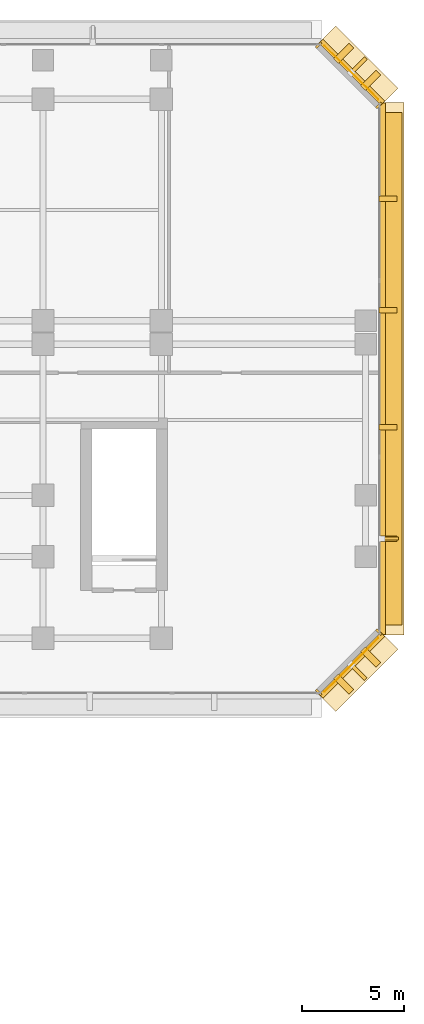
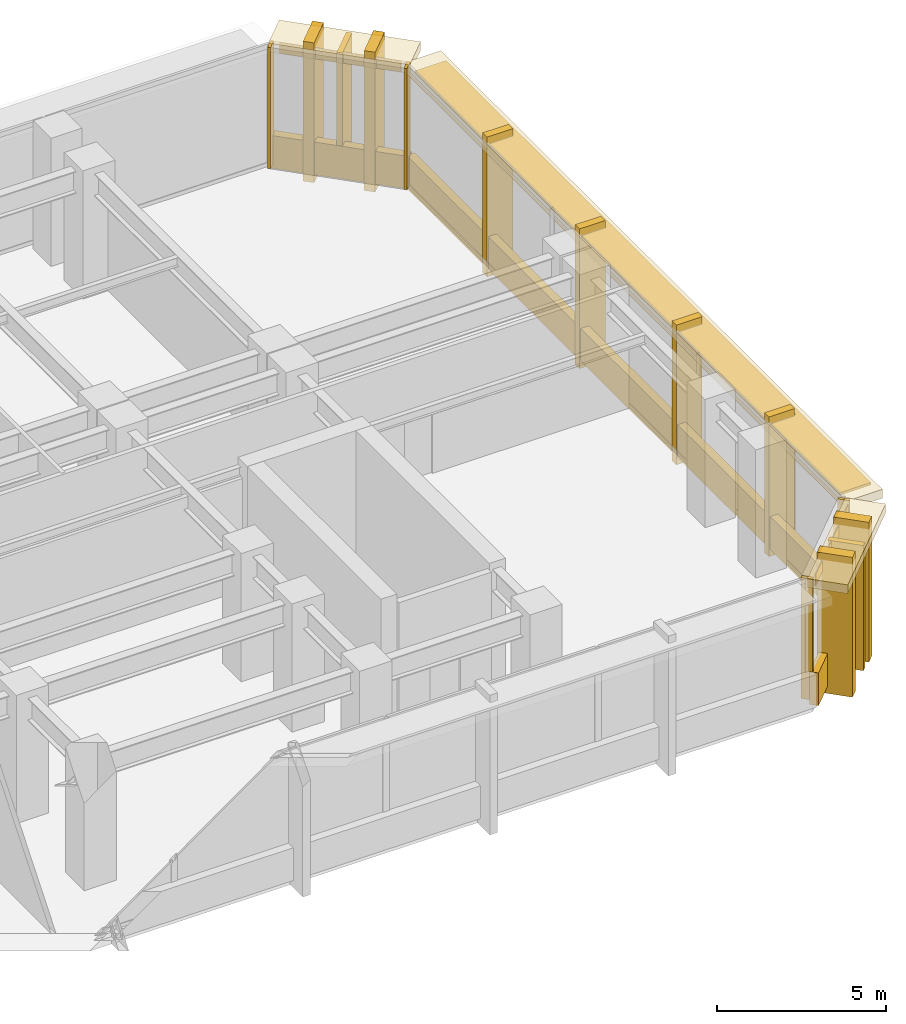
# One storey, part 14 of 14: 20 coverings, 4 shading devices.
"""IFC4 building model written with IfcOpenShell, lengths in metres."""

from ifc_helpers import new_model, si_unit, direction, frame, origin, origin_2d, place, context, subcontext, project, spatial, rectangle, extrude, material, layer, layer_set, material_profile, profile_set, type_object, element, save


model = new_model("IFC4")

# Units and contexts
model_context = context("Model", 3, precision=1e-05, world=origin(), true_north=direction((0.0, 1.0)))
body_context = subcontext(model_context, "Body", "Model", "MODEL_VIEW")
ifc_project = project(units=[si_unit("LENGTHUNIT", "METRE"), si_unit("AREAUNIT", "SQUARE_METRE"), si_unit("VOLUMEUNIT", "CUBIC_METRE"), si_unit("PLANEANGLEUNIT", "RADIAN"), si_unit("MASSUNIT", "GRAM", prefix="KILO")], contexts=[model_context])

# Site, building, storey
site_placement = place(None, origin())
site = spatial("IfcSite", under=ifc_project, at=site_placement, CompositionType="ELEMENT")
building_placement = place(site_placement, origin())
building = spatial("IfcBuilding", under=site, at=building_placement, Name="Kefirva Bronze Tower", CompositionType="ELEMENT")
storey_placement = place(building_placement, frame((0.0, 0.0, 25.739990234375)))
storey = spatial("IfcBuildingStorey", under=building, at=storey_placement, Name="L05", CompositionType="ELEMENT", Elevation=25.739990234375)

# Coverings
ifc_material = material(Name="Bronze anodised aluminium", Category="aluminium")
ifc_layer_1 = layer(ifc_material, 0.02001953125, Name="Bronze anodised aluminium")
ifc_layer_set_1 = layer_set([ifc_layer_1], Name="Bronze anodised aluminium")
covering_type_1 = type_object("IfcCoveringType", Name="Anodised Bronze Spandrel Cladding 20mm", PredefinedType="CLADDING", material=ifc_layer_set_1)
covering_1_placement = place(storey_placement, frame((64.507080078125, 17.492919921875, 3.949951171875), z_axis=(0.0, 0.0, 1.0), x_axis=(0.707106781187, 0.707106781187, 0.0)))
element("IfcCovering", 1, at=covering_1_placement, inside=storey, type_object=covering_type_1, Name="L05 Bronze Spandrel Cladding 4", PredefinedType="CLADDING", context=body_context, shape_type="SweptSolid", body=[
    extrude(rectangle(XDim=3.719482421875, YDim=0.02001953125, at=origin_2d()), origin(), (0.0, 0.0, 1.0), 0.39990234375),
])
for number, where, z_axis, x_axis, name in (
    (2, (62.8974609375, 16.152099609375, 0.0), (0.0, 0.0, 1.0), (0.707106781187, 0.707106781187, 0.0), "L05 Facade Joint Closure Panel 4S"),
    (3, (65.847900390625, 19.1025390625, 0.0), (0.0, 0.0, 1.0), (0.707106781187, 0.707106781187, 0.0), "L05 Facade Joint Closure Panel 4E"),
):
    element("IfcCovering", number, at=place(storey_placement, frame(where, z_axis=z_axis, x_axis=x_axis)), inside=storey, type_object=covering_type_1, Name=name, PredefinedType="CLADDING", context=body_context, shape_type="SweptSolid", body=[
        extrude(rectangle(XDim=0.10009765625, YDim=0.360107421875, at=origin_2d()), origin(), (0.0, 0.0, 1.0), 4.3701171875),
    ])
covering_2_placement = place(storey_placement, frame((64.5283203125, 17.4716796875, -0.16015625), z_axis=(0.0, 0.0, 1.0), x_axis=(0.707106781187, 0.707106781187, 0.0)))
element("IfcCovering", 4, at=covering_2_placement, inside=storey, type_object=covering_type_1, Name="L05 Streamline Horizontal Spandrel Band 5", PredefinedType="CLADDING", context=body_context, shape_type="SweptSolid", body=[
    extrude(rectangle(XDim=4.28271484375, YDim=0.280029296875, at=origin_2d()), origin(), (0.0, 0.0, 1.0), 1.179931640625),
])
covering_3_placement = place(storey_placement, frame((66.0400390625, 32.0, -0.16015625), z_axis=(0.0, 0.0, 1.0), x_axis=(0.0, 1.0, 0.0)))
element("IfcCovering", 5, at=covering_3_placement, inside=storey, type_object=covering_type_1, Name="L05 Streamline Horizontal Spandrel Band 6", PredefinedType="CLADDING", context=body_context, shape_type="SweptSolid", body=[
    extrude(rectangle(XDim=26.0400390625, YDim=0.280029296875, at=origin_2d()), origin(), (0.0, 0.0, 1.0), 1.179931640625),
])
covering_4_placement = place(storey_placement, frame((64.507080078125, 46.507080078125, 3.949951171875), z_axis=(0.0, 0.0, 1.0), x_axis=(-0.707106781187, 0.707106781187, 0.0)))
element("IfcCovering", 6, at=covering_4_placement, inside=storey, type_object=covering_type_1, Name="L05 Bronze Spandrel Cladding 5", PredefinedType="CLADDING", context=body_context, shape_type="SweptSolid", body=[
    extrude(rectangle(XDim=3.719482421875, YDim=0.02001953125, at=origin_2d()), origin(), (0.0, 0.0, 1.0), 0.39990234375),
])
for number, where, z_axis, x_axis, name in (
    (7, (65.847900390625, 44.8974609375, 0.0), (0.0, 0.0, 1.0), (-0.707106781187, 0.707106781187, 0.0), "L05 Facade Joint Closure Panel 5S"),
    (8, (62.8974609375, 47.847900390625, 0.0), (0.0, 0.0, 1.0), (-0.707106781187, 0.707106781187, 0.0), "L05 Facade Joint Closure Panel 5E"),
):
    element("IfcCovering", number, at=place(storey_placement, frame(where, z_axis=z_axis, x_axis=x_axis)), inside=storey, type_object=covering_type_1, Name=name, PredefinedType="CLADDING", context=body_context, shape_type="SweptSolid", body=[
        extrude(rectangle(XDim=0.10009765625, YDim=0.360107421875, at=origin_2d()), origin(), (0.0, 0.0, 1.0), 4.3701171875),
    ])
covering_5_placement = place(storey_placement, frame((64.5283203125, 46.5283203125, -0.16015625), z_axis=(0.0, 0.0, 1.0), x_axis=(-0.707106781187, 0.707106781187, 0.0)))
element("IfcCovering", 9, at=covering_5_placement, inside=storey, type_object=covering_type_1, Name="L05 Streamline Horizontal Spandrel Band 7", PredefinedType="CLADDING", context=body_context, shape_type="SweptSolid", body=[
    extrude(rectangle(XDim=4.28271484375, YDim=0.280029296875, at=origin_2d()), origin(), (0.0, 0.0, 1.0), 1.179931640625),
])

# Shading devices
ifc_material_profile_1 = material_profile(ifc_material, rectangle(XDim=0.179931640625, YDim=1.080078125, at=origin_2d()), Name="BRONZE BUTTRESS FIN 180x1080")
ifc_profile_set_1 = profile_set([ifc_material_profile_1], Name="Bronze anodised aluminium")
shading_device_type_1 = type_object("IfcShadingDeviceType", Name="Chamfered Corner Buttress Bronze Fin 1080mm", PredefinedType="USERDEFINED", material=ifc_profile_set_1)
for number, where, z_axis, x_axis, name in (
    (10, (64.8251953125, 17.1748046875, -0.139892578125), (0.0, 0.0, 1.0), (0.707106781187, 0.707106781187, 0.0), "L05 Chamfered Corner Buttress Fin 16"),
    (11, (64.8251953125, 46.8251953125, -0.139892578125), (0.0, 0.0, 1.0), (-0.707106781187, 0.707106781187, 0.0), "L05 Chamfered Corner Buttress Fin 22"),
):
    element("IfcShadingDevice", number, at=place(storey_placement, frame(where, z_axis=z_axis, x_axis=x_axis)), inside=storey, type_object=shading_device_type_1, Name=name, ObjectType="VERTICAL FIN", PredefinedType="USERDEFINED", context=body_context, shape_type="SweptSolid", body=[
        extrude(rectangle(XDim=0.179931640625, YDim=1.080078125, at=origin_2d()), origin(), (0.0, 0.0, 1.0), 4.510009765625),
    ])
ifc_layer_2 = layer(ifc_material, 0.1201171875, Name="Bronze anodised aluminium")
ifc_layer_set_2 = layer_set([ifc_layer_2], Name="Bronze anodised aluminium")
shading_device_type_2 = type_object("IfcShadingDeviceType", Name="Podium Deep Bronze Canopy Sunshade 1050mm", PredefinedType="JALOUSIE", material=ifc_layer_set_2)
shading_device_1_placement = place(storey_placement, frame((66.445068359375, 32.0, 4.26513671875), z_axis=(0.0, 0.0, 1.0), x_axis=(0.0, 1.0, 0.0)))
element("IfcShadingDevice", 12, at=shading_device_1_placement, inside=storey, type_object=shading_device_type_2, Name="L05 Horizontal Bronze Sunshade Band 6", PredefinedType="JALOUSIE", context=body_context, shape_type="SweptSolid", body=[
    extrude(rectangle(XDim=25.090087890625, YDim=1.050048828125, at=origin_2d()), origin(), (0.0, 0.0, 1.0), 0.090087890625),
])

# Coverings
ifc_layer_3 = layer(ifc_material, 0.179931640625, Name="Bronze anodised aluminium")
ifc_layer_set_3 = layer_set([ifc_layer_3], Name="Bronze anodised aluminium")
covering_type_2 = type_object("IfcCoveringType", Name="Streamline Bronze Sunshade Eyebrow Cladding 180mm", PredefinedType="CLADDING", material=ifc_layer_set_3)
covering_6_placement = place(storey_placement, frame((64.8251953125, 17.1748046875, 4.0498046875), z_axis=(0.0, 0.0, 1.0), x_axis=(0.707106781187, 0.707106781187, 0.0)))
element("IfcCovering", 13, at=covering_6_placement, inside=storey, type_object=covering_type_2, Name="L05 Streamline Bronze Sunshade Eyebrow 5", PredefinedType="CLADDING", context=body_context, shape_type="SweptSolid", body=[
    extrude(rectangle(XDim=4.322509765625, YDim=1.239990234375, at=origin_2d()), origin(), (0.0, 0.0, 1.0), 0.320068359375),
])
covering_7_placement = place(storey_placement, frame((66.4599609375, 32.0, 4.0498046875), z_axis=(0.0, 0.0, 1.0), x_axis=(0.0, 1.0, 0.0)))
element("IfcCovering", 14, at=covering_7_placement, inside=storey, type_object=covering_type_2, Name="L05 Streamline Bronze Sunshade Eyebrow 6", PredefinedType="CLADDING", context=body_context, shape_type="SweptSolid", body=[
    extrude(rectangle(XDim=26.080078125, YDim=1.239990234375, at=origin_2d()), origin(), (0.0, 0.0, 1.0), 0.320068359375),
])
covering_8_placement = place(storey_placement, frame((64.8251953125, 46.8251953125, 4.0498046875), z_axis=(0.0, 0.0, 1.0), x_axis=(-0.707106781187, 0.707106781187, 0.0)))
element("IfcCovering", 15, at=covering_8_placement, inside=storey, type_object=covering_type_2, Name="L05 Streamline Bronze Sunshade Eyebrow 7", PredefinedType="CLADDING", context=body_context, shape_type="SweptSolid", body=[
    extrude(rectangle(XDim=4.322509765625, YDim=1.239990234375, at=origin_2d()), origin(), (0.0, 0.0, 1.0), 0.320068359375),
])
ifc_layer_4 = layer(ifc_material, 0.260009765625, Name="Bronze anodised aluminium")
ifc_layer_set_4 = layer_set([ifc_layer_4], Name="Bronze anodised aluminium")
covering_type_3 = type_object("IfcCoveringType", Name="Unbroken Bronze Buttress Fin Cladding 260mm", PredefinedType="CLADDING", material=ifc_layer_set_4)
for number, where, z_axis, x_axis, name in (
    (16, (64.122802734375, 16.55712890625, -0.419921875), (0.0, 0.0, 1.0), (0.707106781187, 0.707106781187, 0.0), "L05 Chamfered Corner Buttress Fin Cladding 15"),
    (17, (65.44287109375, 17.877197265625, -0.419921875), (0.0, 0.0, 1.0), (0.707106781187, 0.707106781187, 0.0), "L05 Chamfered Corner Buttress Fin Cladding 16"),
):
    element("IfcCovering", number, at=place(storey_placement, frame(where, z_axis=z_axis, x_axis=x_axis)), inside=storey, type_object=covering_type_3, Name=name, PredefinedType="CLADDING", context=body_context, shape_type="SweptSolid", body=[
        extrude(rectangle(XDim=0.340087890625, YDim=1.080078125, at=origin_2d()), origin(), (0.0, 0.0, 1.0), 5.0400390625),
    ])
for number, where, z_axis, x_axis, name in (
    (18, (66.300048828125, 23.679931640625, -0.419921875), (0.0, 0.0, 1.0), (0.0, 1.0, 0.0), "L05 Unbroken Vertical Bronze Rib Fin 17"),
    (19, (66.300048828125, 29.139892578125, -0.419921875), (0.0, 0.0, 1.0), (0.0, 1.0, 0.0), "L05 Unbroken Vertical Bronze Rib Fin 18"),
    (20, (66.300048828125, 34.860107421875, -0.419921875), (0.0, 0.0, 1.0), (0.0, 1.0, 0.0), "L05 Unbroken Vertical Bronze Rib Fin 19"),
    (21, (66.300048828125, 40.320068359375, -0.419921875), (0.0, 0.0, 1.0), (0.0, 1.0, 0.0), "L05 Unbroken Vertical Bronze Rib Fin 20"),
):
    element("IfcCovering", number, at=place(storey_placement, frame(where, z_axis=z_axis, x_axis=x_axis)), inside=storey, type_object=covering_type_3, Name=name, PredefinedType="CLADDING", context=body_context, shape_type="SweptSolid", body=[
        extrude(rectangle(XDim=0.260009765625, YDim=0.8798828125, at=origin_2d()), origin(), (0.0, 0.0, 1.0), 5.0400390625),
    ])
for number, where, z_axis, x_axis, name in (
    (22, (65.44287109375, 46.122802734375, -0.419921875), (0.0, 0.0, 1.0), (-0.707106781187, 0.707106781187, 0.0), "L05 Chamfered Corner Buttress Fin Cladding 21"),
    (23, (64.122802734375, 47.44287109375, -0.419921875), (0.0, 0.0, 1.0), (-0.707106781187, 0.707106781187, 0.0), "L05 Chamfered Corner Buttress Fin Cladding 22"),
):
    element("IfcCovering", number, at=place(storey_placement, frame(where, z_axis=z_axis, x_axis=x_axis)), inside=storey, type_object=covering_type_3, Name=name, PredefinedType="CLADDING", context=body_context, shape_type="SweptSolid", body=[
        extrude(rectangle(XDim=0.340087890625, YDim=1.080078125, at=origin_2d()), origin(), (0.0, 0.0, 1.0), 5.0400390625),
    ])

# Shading device
ifc_material_profile_2 = material_profile(ifc_material, rectangle(XDim=0.139892578125, YDim=0.8798828125, at=origin_2d()), Name="BRONZE FIN 140x880")
ifc_profile_set_2 = profile_set([ifc_material_profile_2], Name="Bronze anodised aluminium")
shading_device_type_3 = type_object("IfcShadingDeviceType", Name="Unbroken Vertical Bronze Facade Fin 880mm", PredefinedType="USERDEFINED", material=ifc_profile_set_2)
shading_device_2_placement = place(storey_placement, frame((66.360107421875, 23.679931640625, -0.139892578125), z_axis=(0.0, 0.0, 1.0), x_axis=(0.0, 1.0, 0.0)))
element("IfcShadingDevice", 24, at=shading_device_2_placement, inside=storey, type_object=shading_device_type_3, Name="L05 Vertical Bronze Rib Fin 17", ObjectType="VERTICAL FIN", PredefinedType="USERDEFINED", context=body_context, shape_type="SweptSolid", body=[
    extrude(rectangle(XDim=0.139892578125, YDim=0.8798828125, at=origin_2d()), origin(), (0.0, 0.0, 1.0), 4.510009765625),
])

save(model, "model.ifc")
